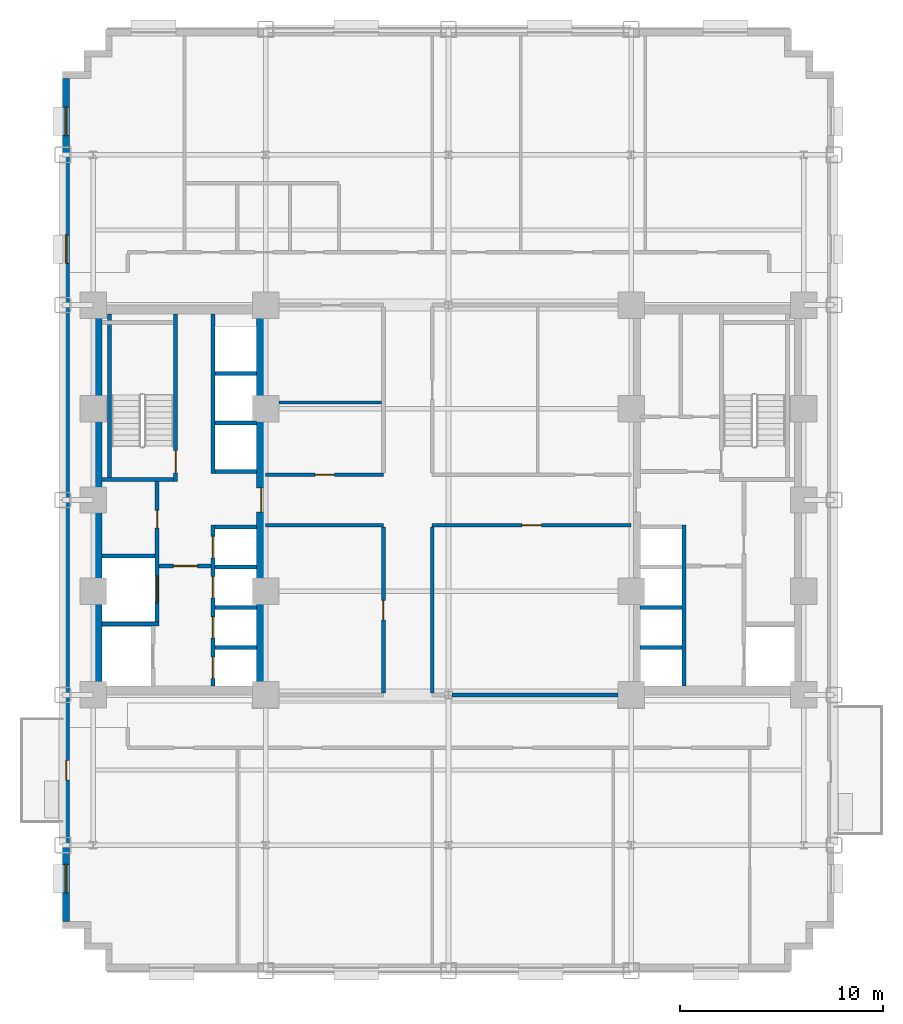
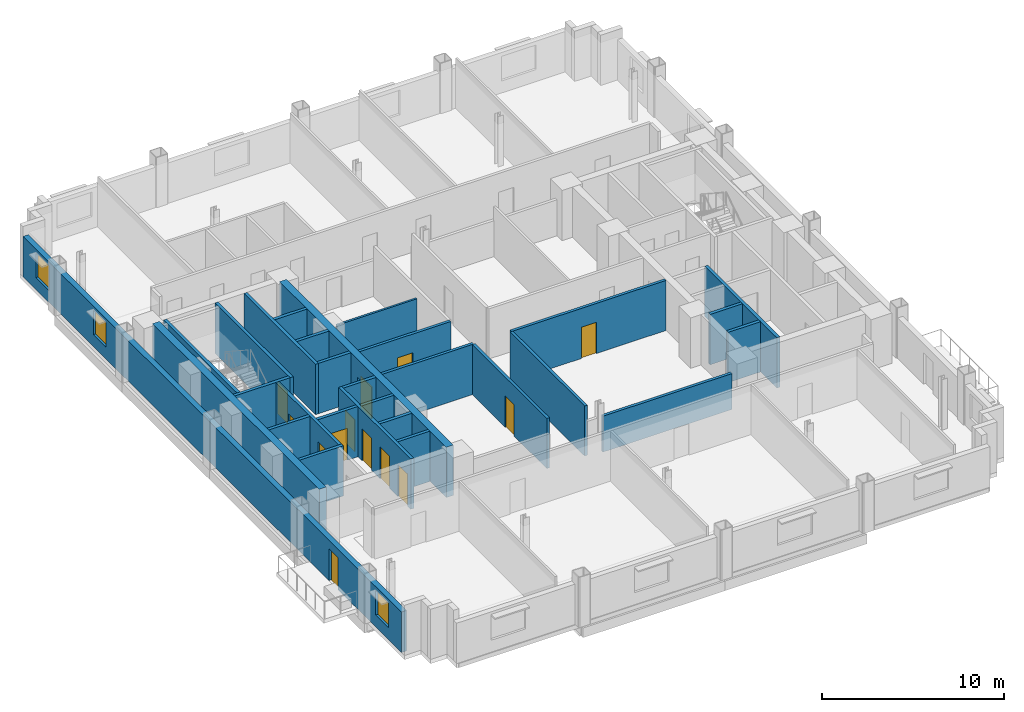
# One storey, part 5 of 12: 29 walls, 13 doors, 3 windows, 16 openings.
"""IFC4 building model written with IfcOpenShell, lengths in metres."""

from ifc_helpers import new_model, si_unit, direction, frame, frame_2d, origin, place, context, subcontext, project, spatial, rectangle, extrude, source, transform, mapped, material, layer, layer_set, type_object, type_shapes, element, fill, save


model = new_model("IFC4")

# Units and contexts
model_context = context("Model", 3, precision=1e-05, world=origin(), true_north=direction((0.0, 1.0)))
body_context = subcontext(model_context, "Body", "Model", "MODEL_VIEW")
ifc_project = project(units=[si_unit("LENGTHUNIT", "METRE"), si_unit("AREAUNIT", "SQUARE_METRE"), si_unit("VOLUMEUNIT", "CUBIC_METRE"), si_unit("PLANEANGLEUNIT", "RADIAN"), si_unit("MASSUNIT", "GRAM", prefix="KILO")], contexts=[model_context])

# Site, building, storey
site_placement = place(None, origin())
site = spatial("IfcSite", under=ifc_project, at=site_placement, CompositionType="ELEMENT")
building_placement = place(site_placement, origin())
building = spatial("IfcBuilding", under=site, at=building_placement, Name="Nuvemarco Arch Tower", CompositionType="ELEMENT")
storey_placement = place(building_placement, frame((0.0, 0.0, 45.85009765625)))
storey = spatial("IfcBuildingStorey", under=building, at=storey_placement, Name="L11", CompositionType="ELEMENT", Elevation=45.85009765625)

# Wall, openings, windows, door
ifc_material_1 = material(Name="Precast concrete C45/55", Category="concrete")
ifc_layer_1 = layer(ifc_material_1, 0.340087890625, Name="EW-LOW-340")
ifc_layer_set_1 = layer_set([ifc_layer_1], Name="Precast concrete C45/55")
wall_type_1 = type_object("IfcWallType", Name="EW-LOW-340", PredefinedType="STANDARD", material=ifc_layer_set_1)
wall_1_placement = place(storey_placement, frame((-18.830078125, -20.763916015625, 0.0), z_axis=(0.0, 0.0, 1.0), x_axis=(0.0, 1.0, 0.0)))
wall_1 = element("IfcWall", 1, at=wall_1_placement, inside=storey, type_object=wall_type_1, Name="L11 exterior precast facade wall 16", PredefinedType="STANDARD", context=body_context, shape_type="SweptSolid", body=[
    extrude(rectangle(XDim=41.52783203125, YDim=0.340087890625, at=frame_2d((20.763916015625, 0.0))), origin(), (0.0, 0.0, 1.0), 2.704833984375),
])
opening_1_placement = place(wall_1_placement, frame((6.964111328125, 0.0, 0.0)))
opening_1 = element("IfcOpeningElement", 2, at=opening_1_placement, cuts=wall_1, Name="Opening ED-6", PredefinedType="OPENING", context=body_context, shape_type="SweptSolid", body=[
    extrude(rectangle(XDim=0.97998046875, YDim=2.14990234375, at=frame_2d((0.489990234375, 1.074951171875))), frame((0.0, 0.179931640625, 0.0), z_axis=(0.0, -1.0, 0.0), x_axis=(1.0, 0.0, 0.0)), (0.0, 0.0, 1.0), 0.360107421875),
])
opening_2_placement = place(wall_1_placement, frame((1.42041015625, 0.0, 0.800048828125)))
opening_2 = element("IfcOpeningElement", 3, at=opening_2_placement, cuts=wall_1, Name="Opening WN-4", PredefinedType="OPENING", context=body_context, shape_type="SweptSolid", body=[
    extrude(rectangle(XDim=1.39990234375, YDim=1.64990234375, at=frame_2d((0.699951171875, 0.824951171875))), frame((0.0, 0.179931640625, 0.0), z_axis=(0.0, -1.0, 0.0), x_axis=(1.0, 0.0, 0.0)), (0.0, 0.0, 1.0), 0.360107421875),
])
opening_3_placement = place(wall_1_placement, frame((32.41650390625, 0.0, 0.800048828125)))
opening_3 = element("IfcOpeningElement", 4, at=opening_3_placement, cuts=wall_1, Name="Opening WN-4", PredefinedType="OPENING", context=body_context, shape_type="SweptSolid", body=[
    extrude(rectangle(XDim=1.39990234375, YDim=1.64990234375, at=frame_2d((0.699951171875, 0.824951171875))), frame((0.0, 0.179931640625, 0.0), z_axis=(0.0, -1.0, 0.0), x_axis=(1.0, 0.0, 0.0)), (0.0, 0.0, 1.0), 0.360107421875),
])
opening_4_placement = place(wall_1_placement, frame((38.70751953125, 0.0, 0.800048828125)))
opening_4 = element("IfcOpeningElement", 5, at=opening_4_placement, cuts=wall_1, Name="Opening WN-4", PredefinedType="OPENING", context=body_context, shape_type="SweptSolid", body=[
    extrude(rectangle(XDim=1.39990234375, YDim=1.64990234375, at=frame_2d((0.699951171875, 0.824951171875))), frame((0.0, 0.179931640625, 0.0), z_axis=(0.0, -1.0, 0.0), x_axis=(1.0, 0.0, 0.0)), (0.0, 0.0, 1.0), 0.360107421875),
])
ifc_material_2 = material(Name="Insulated solar-control glass", Category="glass")
window_type = type_object("IfcWindowType", Name="WN-LOW-1400x1650", PartitioningType="SINGLE_PANEL", PredefinedType="WINDOW", material=ifc_material_2)
shared_shape_1 = source(origin(), body_context, "Body", "SweptSolid", [
    extrude(rectangle(XDim=1.39990234375, YDim=1.64990234375, at=frame_2d((0.699951171875, 0.824951171875))), frame((0.0, 0.030029296875, 0.0), z_axis=(0.0, -1.0, 0.0), x_axis=(1.0, 0.0, 0.0)), (0.0, 0.0, 1.0), 0.06005859375),
])
type_shapes(window_type, [shared_shape_1])
window_1_placement = place(opening_2_placement, origin())
window_1 = element("IfcWindow", 6, at=window_1_placement, inside=storey, type_object=window_type, Name="L11 punched facade window 1", OverallHeight=1.64990234375, OverallWidth=1.39990234375, PartitioningType="SINGLE_PANEL", PredefinedType="WINDOW", context=body_context, shape_type="MappedRepresentation", body=[
    mapped(shared_shape_1, transform((0.0, 0.0, 0.0), scale=1.0)),
])
fill(opening_2, window_1)
window_2_placement = place(opening_3_placement, origin())
window_2 = element("IfcWindow", 7, at=window_2_placement, inside=storey, type_object=window_type, Name="L11 punched facade window 7", OverallHeight=1.64990234375, OverallWidth=1.39990234375, PartitioningType="SINGLE_PANEL", PredefinedType="WINDOW", context=body_context, shape_type="MappedRepresentation", body=[
    mapped(shared_shape_1, transform((0.0, 0.0, 0.0), scale=1.0)),
])
fill(opening_3, window_2)
window_3_placement = place(opening_4_placement, origin())
window_3 = element("IfcWindow", 8, at=window_3_placement, inside=storey, type_object=window_type, Name="L11 punched facade window 8", OverallHeight=1.64990234375, OverallWidth=1.39990234375, PartitioningType="SINGLE_PANEL", PredefinedType="WINDOW", context=body_context, shape_type="MappedRepresentation", body=[
    mapped(shared_shape_1, transform((0.0, 0.0, 0.0), scale=1.0)),
])
fill(opening_4, window_3)
ifc_material_3 = material(Name="Anodised bronze and laminated glass", Category="glass")
door_type_1 = type_object("IfcDoorType", Name="DR-EXT-BALC", OperationType="NOTDEFINED", PredefinedType="DOOR", material=ifc_material_3)
shared_shape_2 = source(origin(), body_context, "Body", "SweptSolid", [
    extrude(rectangle(XDim=0.97998046875, YDim=2.14990234375, at=frame_2d((0.489990234375, 1.074951171875))), frame((0.0, 0.02490234375, 0.0), z_axis=(0.0, -1.0, 0.0), x_axis=(1.0, 0.0, 0.0)), (0.0, 0.0, 1.0), 0.050048828125),
])
type_shapes(door_type_1, [shared_shape_2])
door_1_placement = place(opening_1_placement, origin())
door_1 = element("IfcDoor", 9, at=door_1_placement, inside=storey, type_object=door_type_1, Name="L11 tree balcony access door", OperationType="SINGLE_SWING_LEFT", OverallHeight=2.14990234375, OverallWidth=0.97998046875, PredefinedType="DOOR", context=body_context, shape_type="MappedRepresentation", body=[
    mapped(shared_shape_2, transform((0.0, 0.0, 0.0), scale=1.0)),
])
fill(opening_1, door_1)

# Wall
ifc_material_4 = material(Name="Concrete C60/75", Category="concrete")
ifc_layer_2 = layer(ifc_material_4, 0.449951171875, Name="WL-CORE-450")
ifc_layer_set_2 = layer_set([ifc_layer_2], Name="Concrete C60/75")
wall_type_2 = type_object("IfcWallType", Name="WL-CORE-450", PredefinedType="SHEAR", material=ifc_layer_set_2)
wall_2_placement = place(storey_placement, frame((-17.27490234375, -9.155029296875, 0.0), z_axis=(0.0, 0.0, 1.0), x_axis=(0.0, 1.0, 0.0)))
element("IfcWall", 10, at=wall_2_placement, inside=storey, type_object=wall_type_2, Name="L11 W-core shear wall W", PredefinedType="SHEAR", context=body_context, shape_type="SweptSolid", body=[
    extrude(rectangle(XDim=18.31005859375, YDim=0.449951171875, at=frame_2d((9.155029296875, 0.0))), origin(), (0.0, 0.0, 1.0), 3.369873046875),
])

# Wall, opening, door
wall_3_placement = place(storey_placement, frame((-9.22509765625, -9.155029296875, 0.0), z_axis=(0.0, 0.0, 1.0), x_axis=(0.0, 1.0, 0.0)))
wall_3 = element("IfcWall", 11, at=wall_3_placement, inside=storey, type_object=wall_type_2, Name="L11 W-core shear wall E", PredefinedType="SHEAR", context=body_context, shape_type="SweptSolid", body=[
    extrude(rectangle(XDim=18.31005859375, YDim=0.449951171875, at=frame_2d((9.155029296875, 0.0))), origin(), (0.0, 0.0, 1.0), 3.369873046875),
])
opening_5_placement = place(wall_3_placement, frame((8.554931640625, 0.0, 0.0)))
opening_5 = element("IfcOpeningElement", 12, at=opening_5_placement, cuts=wall_3, Name="Opening FD-2", PredefinedType="OPENING", context=body_context, shape_type="SweptSolid", body=[
    extrude(rectangle(XDim=1.199951171875, YDim=2.14990234375, at=frame_2d((0.60009765625, 1.074951171875))), frame((0.0, 0.23486328125, 0.0), z_axis=(0.0, -1.0, 0.0), x_axis=(1.0, 0.0, 0.0)), (0.0, 0.0, 1.0), 0.469970703125),
])
ifc_material_5 = material(Name="Anodised steel fire door", Category="steel")
door_type_2 = type_object("IfcDoorType", Name="DR-FFLOB-FD", OperationType="NOTDEFINED", PredefinedType="DOOR", material=ifc_material_5)
shared_shape_3 = source(origin(), body_context, "Body", "SweptSolid", [
    extrude(rectangle(XDim=1.199951171875, YDim=2.14990234375, at=frame_2d((0.60009765625, 1.074951171875))), frame((0.0, 0.02490234375, 0.0), z_axis=(0.0, -1.0, 0.0), x_axis=(1.0, 0.0, 0.0)), (0.0, 0.0, 1.0), 0.050048828125),
])
type_shapes(door_type_2, [shared_shape_3])
door_2_placement = place(opening_5_placement, origin())
door_2 = element("IfcDoor", 13, at=door_2_placement, inside=storey, type_object=door_type_2, Name="L11 door FD-L11-WCORE-E", OperationType="SINGLE_SWING_RIGHT", OverallHeight=2.14990234375, OverallWidth=1.199951171875, PredefinedType="DOOR", context=body_context, shape_type="MappedRepresentation", body=[
    mapped(shared_shape_3, transform((0.0, 0.0, 0.0), scale=1.0)),
])
fill(opening_5, door_2)

# Walls
ifc_material_6 = material(Name="Fire-rated gypsum drywall partition")
ifc_layer_3 = layer(ifc_material_6, 0.179931640625, Name="WL-CORR-180")
ifc_layer_set_3 = layer_set([ifc_layer_3], Name="Fire-rated gypsum drywall partition")
wall_type_3 = type_object("IfcWallType", Name="WL-CORR-180", PredefinedType="PARTITIONING", material=ifc_layer_set_3)
wall_4_placement = place(storey_placement, frame((0.176025390625, -9.60009765625, 0.0), z_axis=(0.0, 0.0, 1.0), x_axis=(1.0, 0.0, 0.0)))
element("IfcWall", 14, at=wall_4_placement, inside=storey, type_object=wall_type_3, Name="L11 interior wall IW-L11-004", PredefinedType="PARTITIONING", context=body_context, shape_type="SweptSolid", body=[
    extrude(rectangle(XDim=8.177978515625, YDim=0.179931640625, at=frame_2d((4.0888671875, 0.0))), origin(), (0.0, 0.0, 1.0), 2.40478515625),
])
wall_5_placement = place(storey_placement, frame((-9.0, -1.25, 0.0), z_axis=(0.0, 0.0, 1.0), x_axis=(1.0, 0.0, 0.0)))
element("IfcWall", 15, at=wall_5_placement, inside=storey, type_object=wall_type_3, Name="L11 interior wall IW-L11-005", PredefinedType="PARTITIONING", context=body_context, shape_type="SweptSolid", body=[
    extrude(rectangle(XDim=5.800048828125, YDim=0.179931640625, at=frame_2d((2.89990234375, 0.0))), origin(), (0.0, 0.0, 1.0), 3.35986328125),
])

# Wall, opening, door
wall_6_placement = place(storey_placement, frame((-0.800048828125, -1.25, 0.0), z_axis=(0.0, 0.0, 1.0), x_axis=(1.0, 0.0, 0.0)))
wall_6 = element("IfcWall", 16, at=wall_6_placement, inside=storey, type_object=wall_type_3, Name="L11 interior wall IW-L11-006", PredefinedType="PARTITIONING", context=body_context, shape_type="SweptSolid", body=[
    extrude(rectangle(XDim=9.800048828125, YDim=0.179931640625, at=frame_2d((4.89990234375, 0.0))), origin(), (0.0, 0.0, 1.0), 3.35986328125),
])
opening_6_placement = place(wall_6_placement, frame((4.419921875, 0.0, 0.0)))
opening_6 = element("IfcOpeningElement", 17, at=opening_6_placement, cuts=wall_6, Name="Opening FD-5", PredefinedType="OPENING", context=body_context, shape_type="SweptSolid", body=[
    extrude(rectangle(XDim=0.9599609375, YDim=2.10009765625, at=frame_2d((0.47998046875, 1.050048828125))), frame((0.0, 0.099853515625, 0.0), z_axis=(0.0, -1.0, 0.0), x_axis=(1.0, 0.0, 0.0)), (0.0, 0.0, 1.0), 0.199951171875),
])
ifc_material_7 = material(Name="Timber fire door", Category="wood")
door_type_3 = type_object("IfcDoorType", Name="DR-CORR-FD", OperationType="NOTDEFINED", PredefinedType="DOOR", material=ifc_material_7)
shared_shape_4 = source(origin(), body_context, "Body", "SweptSolid", [
    extrude(rectangle(XDim=0.9599609375, YDim=2.10009765625, at=frame_2d((0.47998046875, 1.050048828125))), frame((0.0, 0.02490234375, 0.0), z_axis=(0.0, -1.0, 0.0), x_axis=(1.0, 0.0, 0.0)), (0.0, 0.0, 1.0), 0.050048828125),
])
type_shapes(door_type_3, [shared_shape_4])
door_3_placement = place(opening_6_placement, origin())
door_3 = element("IfcDoor", 18, at=door_3_placement, inside=storey, type_object=door_type_3, Name="L11 door DR-L11-C_SE", OperationType="SINGLE_SWING_LEFT", OverallHeight=2.10009765625, OverallWidth=0.9599609375, PredefinedType="DOOR", context=body_context, shape_type="MappedRepresentation", body=[
    mapped(shared_shape_4, transform((0.0, 0.0, 0.0), scale=1.0)),
])
fill(opening_6, door_3)

wall_7_placement = place(storey_placement, frame((-9.0, 1.25, 0.0), z_axis=(0.0, 0.0, 1.0), x_axis=(1.0, 0.0, 0.0)))
wall_7 = element("IfcWall", 19, at=wall_7_placement, inside=storey, type_object=wall_type_3, Name="L11 interior wall IW-L11-007", PredefinedType="PARTITIONING", context=body_context, shape_type="SweptSolid", body=[
    extrude(rectangle(XDim=5.800048828125, YDim=0.179931640625, at=frame_2d((2.89990234375, 0.0))), origin(), (0.0, 0.0, 1.0), 3.35986328125),
])
opening_7_placement = place(wall_7_placement, frame((2.419921875, 0.0, 0.0)))
opening_7 = element("IfcOpeningElement", 20, at=opening_7_placement, cuts=wall_7, Name="Opening FD-5", PredefinedType="OPENING", context=body_context, shape_type="SweptSolid", body=[
    extrude(rectangle(XDim=0.9599609375, YDim=2.10009765625, at=frame_2d((0.47998046875, 1.050048828125))), frame((0.0, 0.099853515625, 0.0), z_axis=(0.0, -1.0, 0.0), x_axis=(1.0, 0.0, 0.0)), (0.0, 0.0, 1.0), 0.199951171875),
])
door_4_placement = place(opening_7_placement, origin())
door_4 = element("IfcDoor", 21, at=door_4_placement, inside=storey, type_object=door_type_3, Name="L11 door DR-L11-C_NW1", OperationType="SINGLE_SWING_LEFT", OverallHeight=2.10009765625, OverallWidth=0.9599609375, PredefinedType="DOOR", context=body_context, shape_type="MappedRepresentation", body=[
    mapped(shared_shape_4, transform((0.0, 0.0, 0.0), scale=1.0)),
])
fill(opening_7, door_4)

wall_8_placement = place(storey_placement, frame((-3.199951171875, -9.513916015625, 0.0), z_axis=(0.0, 0.0, 1.0), x_axis=(0.0, 1.0, 0.0)))
wall_8 = element("IfcWall", 22, at=wall_8_placement, inside=storey, type_object=wall_type_3, Name="L11 interior wall IW-L11-022", PredefinedType="PARTITIONING", context=body_context, shape_type="SweptSolid", body=[
    extrude(rectangle(XDim=8.177978515625, YDim=0.179931640625, at=frame_2d((4.0888671875, 0.0))), origin(), (0.0, 0.0, 1.0), 3.35986328125),
])
opening_8_placement = place(wall_8_placement, frame((3.60888671875, 0.0, 0.0)))
opening_8 = element("IfcOpeningElement", 23, at=opening_8_placement, cuts=wall_8, Name="Opening FD-5", PredefinedType="OPENING", context=body_context, shape_type="SweptSolid", body=[
    extrude(rectangle(XDim=0.9599609375, YDim=2.10009765625, at=frame_2d((0.47998046875, 1.050048828125))), frame((0.0, 0.099853515625, 0.0), z_axis=(0.0, -1.0, 0.0), x_axis=(1.0, 0.0, 0.0)), (0.0, 0.0, 1.0), 0.199951171875),
])
door_5_placement = place(opening_8_placement, origin())
door_5 = element("IfcDoor", 24, at=door_5_placement, inside=storey, type_object=door_type_3, Name="L11 door DR-L11-C_SW", OperationType="SINGLE_SWING_LEFT", OverallHeight=2.10009765625, OverallWidth=0.9599609375, PredefinedType="DOOR", context=body_context, shape_type="MappedRepresentation", body=[
    mapped(shared_shape_4, transform((0.0, 0.0, 0.0), scale=1.0)),
])
fill(opening_8, door_5)

# Walls
wall_9_placement = place(storey_placement, frame((-0.800048828125, -9.513916015625, 0.0), z_axis=(0.0, 0.0, 1.0), x_axis=(0.0, 1.0, 0.0)))
element("IfcWall", 25, at=wall_9_placement, inside=storey, type_object=wall_type_3, Name="L11 interior wall IW-L11-025", PredefinedType="PARTITIONING", context=body_context, shape_type="SweptSolid", body=[
    extrude(rectangle(XDim=8.177978515625, YDim=0.179931640625, at=frame_2d((4.0888671875, 0.0))), origin(), (0.0, 0.0, 1.0), 3.35986328125),
])
ifc_material_8 = material(Name="Glazed acoustic office partition")
ifc_layer_4 = layer(ifc_material_8, 0.1298828125, Name="WL-EXEC-130")
ifc_layer_set_4 = layer_set([ifc_layer_4], Name="Glazed acoustic office partition")
wall_type_4 = type_object("IfcWallType", Name="WL-EXEC-130", PredefinedType="PARTITIONING", material=ifc_layer_set_4)
wall_10_placement = place(storey_placement, frame((-8.35400390625, 4.800048828125, 0.0), z_axis=(0.0, 0.0, 1.0), x_axis=(1.0, 0.0, 0.0)))
element("IfcWall", 26, at=wall_10_placement, inside=storey, type_object=wall_type_4, Name="L11 interior wall IW-L11-009", PredefinedType="PARTITIONING", context=body_context, shape_type="SweptSolid", body=[
    extrude(rectangle(XDim=5.068115234375, YDim=0.1298828125, at=frame_2d((2.5341796875, 0.0))), origin(), (0.0, 0.0, 1.0), 2.73779296875),
])

# Wall, opening, door
ifc_material_9 = material(Name="Concrete C50/60", Category="concrete")
ifc_layer_5 = layer(ifc_material_9, 0.199951171875, Name="WL-SHAFT-220")
ifc_layer_set_5 = layer_set([ifc_layer_5], Name="Concrete C50/60")
wall_type_5 = type_object("IfcWallType", Name="WL-SHAFT-220", PredefinedType="SHEAR", material=ifc_layer_set_5)
wall_11_placement = place(storey_placement, frame((-13.43994140625, 0.89990234375, 0.0), z_axis=(0.0, 0.0, 1.0), x_axis=(0.0, 1.0, 0.0)))
wall_11 = element("IfcWall", 27, at=wall_11_placement, inside=storey, type_object=wall_type_5, Name="L11 structural shaft wall SW-L11-W-ST1E", PredefinedType="SHEAR", context=body_context, shape_type="SweptSolid", body=[
    extrude(rectangle(XDim=8.255126953125, YDim=0.199951171875, at=frame_2d((4.12744140625, 0.0))), origin(), (0.0, 0.0, 1.0), 3.369873046875),
])
opening_9_placement = place(wall_11_placement, frame((1.530029296875, 0.0, 0.0), z_axis=(0.0, 0.0, 1.0), x_axis=(-1.0, 0.0, 0.0)))
opening_9 = element("IfcOpeningElement", 28, at=opening_9_placement, cuts=wall_11, Name="Opening FD-1", PredefinedType="OPENING", context=body_context, shape_type="SweptSolid", body=[
    extrude(rectangle(XDim=1.10009765625, YDim=2.14990234375, at=frame_2d((0.550048828125, 1.074951171875))), frame((0.0, 0.10986328125, 0.0), z_axis=(0.0, -1.0, 0.0), x_axis=(1.0, 0.0, 0.0)), (0.0, 0.0, 1.0), 0.219970703125),
])
door_type_4 = type_object("IfcDoorType", Name="DR-STAIR-FD", OperationType="NOTDEFINED", PredefinedType="DOOR", material=ifc_material_5)
shared_shape_5 = source(origin(), body_context, "Body", "SweptSolid", [
    extrude(rectangle(XDim=1.10009765625, YDim=2.14990234375, at=frame_2d((0.550048828125, 1.074951171875))), frame((0.0, 0.02490234375, 0.0), z_axis=(0.0, -1.0, 0.0), x_axis=(1.0, 0.0, 0.0)), (0.0, 0.0, 1.0), 0.050048828125),
])
type_shapes(door_type_4, [shared_shape_5])
door_6_placement = place(opening_9_placement, origin())
door_6 = element("IfcDoor", 29, at=door_6_placement, inside=storey, type_object=door_type_4, Name="L11 door FD-L11-ST1", OperationType="SINGLE_SWING_RIGHT", OverallHeight=2.14990234375, OverallWidth=1.10009765625, PredefinedType="DOOR", context=body_context, shape_type="MappedRepresentation", body=[
    mapped(shared_shape_5, transform((0.0, 0.0, 0.0), scale=1.0)),
])
fill(opening_9, door_6)

# Walls
wall_12_placement = place(storey_placement, frame((-17.054931640625, 1.0, 0.0), z_axis=(0.0, 0.0, 1.0), x_axis=(1.0, 0.0, 0.0)))
element("IfcWall", 30, at=wall_12_placement, inside=storey, type_object=wall_type_5, Name="L11 structural shaft wall SW-L11-W-ST1S", PredefinedType="SHEAR", context=body_context, shape_type="SweptSolid", body=[
    extrude(rectangle(XDim=3.52001953125, YDim=0.199951171875, at=frame_2d((1.760009765625, 0.0))), origin(), (0.0, 0.0, 1.0), 3.369873046875),
])
wall_13_placement = place(storey_placement, frame((-16.699951171875, 1.094970703125, 0.0), z_axis=(0.0, 0.0, 1.0), x_axis=(0.0, 1.0, 0.0)))
element("IfcWall", 31, at=wall_13_placement, inside=storey, type_object=wall_type_5, Name="L11 structural shaft wall SW-L11-W-ST1W", PredefinedType="SHEAR", context=body_context, shape_type="SweptSolid", body=[
    extrude(rectangle(XDim=8.06005859375, YDim=0.199951171875, at=frame_2d((4.030029296875, 0.0))), origin(), (0.0, 0.0, 1.0), 3.369873046875),
])

# Wall, openings, doors
wall_14_placement = place(storey_placement, frame((-14.35009765625, -6.199951171875, 0.0), z_axis=(0.0, 0.0, 1.0), x_axis=(0.0, 1.0, 0.0)))
wall_14 = element("IfcWall", 32, at=wall_14_placement, inside=storey, type_object=wall_type_5, Name="L11 structural shaft wall SW-L11-W-SVE", PredefinedType="SHEAR", context=body_context, shape_type="SweptSolid", body=[
    extrude(rectangle(XDim=7.10498046875, YDim=0.199951171875, at=frame_2d((3.552490234375, 0.0))), origin(), (0.0, 0.0, 1.0), 3.369873046875),
])
opening_10_placement = place(wall_14_placement, frame((5.68994140625, 0.0, 0.0), z_axis=(0.0, 0.0, 1.0), x_axis=(-1.0, 0.0, 0.0)))
opening_10 = element("IfcOpeningElement", 33, at=opening_10_placement, cuts=wall_14, Name="Opening FD-4", PredefinedType="OPENING", context=body_context, shape_type="SweptSolid", body=[
    extrude(rectangle(XDim=0.8798828125, YDim=2.10009765625, at=frame_2d((0.43994140625, 1.050048828125))), frame((0.0, 0.10986328125, 0.0), z_axis=(0.0, -1.0, 0.0), x_axis=(1.0, 0.0, 0.0)), (0.0, 0.0, 1.0), 0.219970703125),
])
opening_11_placement = place(wall_14_placement, frame((1.14990234375, 0.0, 0.0)))
opening_11 = element("IfcOpeningElement", 34, at=opening_11_placement, cuts=wall_14, Name="Opening LD-3", PredefinedType="OPENING", context=body_context, shape_type="SweptSolid", body=[
    extrude(rectangle(XDim=1.300048828125, YDim=2.199951171875, at=frame_2d((0.64990234375, 1.10009765625))), frame((0.0, 0.10986328125, 0.0), z_axis=(0.0, -1.0, 0.0), x_axis=(1.0, 0.0, 0.0)), (0.0, 0.0, 1.0), 0.219970703125),
])
door_type_5 = type_object("IfcDoorType", Name="DR-RISER-FD", OperationType="NOTDEFINED", PredefinedType="DOOR", material=ifc_material_5)
shared_shape_6 = source(origin(), body_context, "Body", "SweptSolid", [
    extrude(rectangle(XDim=0.8798828125, YDim=2.10009765625, at=frame_2d((0.43994140625, 1.050048828125))), frame((0.0, 0.02490234375, 0.0), z_axis=(0.0, -1.0, 0.0), x_axis=(1.0, 0.0, 0.0)), (0.0, 0.0, 1.0), 0.050048828125),
])
type_shapes(door_type_5, [shared_shape_6])
door_7_placement = place(opening_10_placement, origin())
door_7 = element("IfcDoor", 35, at=door_7_placement, inside=storey, type_object=door_type_5, Name="L11 door FD-L11-WRIS", OperationType="SINGLE_SWING_RIGHT", OverallHeight=2.10009765625, OverallWidth=0.8798828125, PredefinedType="DOOR", context=body_context, shape_type="MappedRepresentation", body=[
    mapped(shared_shape_6, transform((0.0, 0.0, 0.0), scale=1.0)),
])
fill(opening_10, door_7)
ifc_material_10 = material(Name="Stainless steel lift door", Category="steel")
door_type_6 = type_object("IfcDoorType", Name="DR-LIFT-SERV", OperationType="DOUBLE_DOOR_SLIDING", PredefinedType="DOOR", material=ifc_material_10)
shared_shape_7 = source(origin(), body_context, "Body", "SweptSolid", [
    extrude(rectangle(XDim=1.300048828125, YDim=2.199951171875, at=frame_2d((0.64990234375, 1.10009765625))), frame((0.0, 0.02490234375, 0.0), z_axis=(0.0, -1.0, 0.0), x_axis=(1.0, 0.0, 0.0)), (0.0, 0.0, 1.0), 0.050048828125),
])
type_shapes(door_type_6, [shared_shape_7])
door_8_placement = place(opening_11_placement, origin())
door_8 = element("IfcDoor", 36, at=door_8_placement, inside=storey, type_object=door_type_6, Name="L11 Lift landing sliding door SVL-1", OperationType="DOUBLE_DOOR_SLIDING", OverallHeight=2.199951171875, OverallWidth=1.300048828125, PredefinedType="DOOR", context=body_context, shape_type="MappedRepresentation", body=[
    mapped(shared_shape_7, transform((0.0, 0.0, 0.0), scale=1.0)),
])
fill(opening_11, door_8)

# Walls
wall_15_placement = place(storey_placement, frame((-17.054931640625, -6.10009765625, 0.0), z_axis=(0.0, 0.0, 1.0), x_axis=(1.0, 0.0, 0.0)))
element("IfcWall", 37, at=wall_15_placement, inside=storey, type_object=wall_type_5, Name="L11 structural shaft wall SW-L11-W-SH1", PredefinedType="SHEAR", context=body_context, shape_type="SweptSolid", body=[
    extrude(rectangle(XDim=2.804931640625, YDim=0.199951171875, at=frame_2d((1.40234375, 0.0))), origin(), (0.0, 0.0, 1.0), 3.369873046875),
])
wall_16_placement = place(storey_placement, frame((-17.054931640625, -2.75, 0.0), z_axis=(0.0, 0.0, 1.0), x_axis=(1.0, 0.0, 0.0)))
element("IfcWall", 38, at=wall_16_placement, inside=storey, type_object=wall_type_5, Name="L11 structural shaft wall SW-L11-W-SH2", PredefinedType="SHEAR", context=body_context, shape_type="SweptSolid", body=[
    extrude(rectangle(XDim=2.60986328125, YDim=0.199951171875, at=frame_2d((1.304931640625, 0.0))), origin(), (0.0, 0.0, 1.0), 3.369873046875),
])

# Wall, openings, doors
wall_17_placement = place(storey_placement, frame((-11.60009765625, -9.155029296875, 0.0), z_axis=(0.0, 0.0, 1.0), x_axis=(0.0, 1.0, 0.0)))
wall_17 = element("IfcWall", 39, at=wall_17_placement, inside=storey, type_object=wall_type_5, Name="L11 structural shaft wall SW-L11-W-PLW", PredefinedType="SHEAR", context=body_context, shape_type="SweptSolid", body=[
    extrude(rectangle(XDim=7.925048828125, YDim=0.199951171875, at=frame_2d((3.96240234375, 0.0))), origin(), (0.0, 0.0, 1.0), 3.369873046875),
])
opening_12_placement = place(wall_17_placement, frame((0.3701171875, 0.0, 0.0)))
opening_12 = element("IfcOpeningElement", 40, at=opening_12_placement, cuts=wall_17, Name="Opening LD-1", PredefinedType="OPENING", context=body_context, shape_type="SweptSolid", body=[
    extrude(rectangle(XDim=1.050048828125, YDim=2.14990234375, at=frame_2d((0.52490234375, 1.074951171875))), frame((0.0, 0.10986328125, 0.0), z_axis=(0.0, -1.0, 0.0), x_axis=(1.0, 0.0, 0.0)), (0.0, 0.0, 1.0), 0.219970703125),
])
opening_13_placement = place(wall_17_placement, frame((2.35009765625, 0.0, 0.0)))
opening_13 = element("IfcOpeningElement", 41, at=opening_13_placement, cuts=wall_17, Name="Opening LD-1", PredefinedType="OPENING", context=body_context, shape_type="SweptSolid", body=[
    extrude(rectangle(XDim=1.050048828125, YDim=2.14990234375, at=frame_2d((0.52490234375, 1.074951171875))), frame((0.0, 0.10986328125, 0.0), z_axis=(0.0, -1.0, 0.0), x_axis=(1.0, 0.0, 0.0)), (0.0, 0.0, 1.0), 0.219970703125),
])
opening_14_placement = place(wall_17_placement, frame((4.330078125, 0.0, 0.0)))
opening_14 = element("IfcOpeningElement", 42, at=opening_14_placement, cuts=wall_17, Name="Opening LD-1", PredefinedType="OPENING", context=body_context, shape_type="SweptSolid", body=[
    extrude(rectangle(XDim=1.050048828125, YDim=2.14990234375, at=frame_2d((0.52490234375, 1.074951171875))), frame((0.0, 0.10986328125, 0.0), z_axis=(0.0, -1.0, 0.0), x_axis=(1.0, 0.0, 0.0)), (0.0, 0.0, 1.0), 0.219970703125),
])
opening_15_placement = place(wall_17_placement, frame((6.31005859375, 0.0, 0.0)))
opening_15 = element("IfcOpeningElement", 43, at=opening_15_placement, cuts=wall_17, Name="Opening LD-1", PredefinedType="OPENING", context=body_context, shape_type="SweptSolid", body=[
    extrude(rectangle(XDim=1.050048828125, YDim=2.14990234375, at=frame_2d((0.52490234375, 1.074951171875))), frame((0.0, 0.10986328125, 0.0), z_axis=(0.0, -1.0, 0.0), x_axis=(1.0, 0.0, 0.0)), (0.0, 0.0, 1.0), 0.219970703125),
])
door_type_7 = type_object("IfcDoorType", Name="DR-LIFT-PASS", OperationType="DOUBLE_DOOR_SLIDING", PredefinedType="DOOR", material=ifc_material_10)
shared_shape_8 = source(origin(), body_context, "Body", "SweptSolid", [
    extrude(rectangle(XDim=1.050048828125, YDim=2.14990234375, at=frame_2d((0.52490234375, 1.074951171875))), frame((0.0, 0.02490234375, 0.0), z_axis=(0.0, -1.0, 0.0), x_axis=(1.0, 0.0, 0.0)), (0.0, 0.0, 1.0), 0.050048828125),
])
type_shapes(door_type_7, [shared_shape_8])
door_9_placement = place(opening_12_placement, origin())
door_9 = element("IfcDoor", 44, at=door_9_placement, inside=storey, type_object=door_type_7, Name="L11 Lift landing sliding door PL-1", OperationType="DOUBLE_DOOR_SLIDING", OverallHeight=2.14990234375, OverallWidth=1.050048828125, PredefinedType="DOOR", context=body_context, shape_type="MappedRepresentation", body=[
    mapped(shared_shape_8, transform((0.0, 0.0, 0.0), scale=1.0)),
])
fill(opening_12, door_9)
door_10_placement = place(opening_13_placement, origin())
door_10 = element("IfcDoor", 45, at=door_10_placement, inside=storey, type_object=door_type_7, Name="L11 Lift landing sliding door PL-2", OperationType="DOUBLE_DOOR_SLIDING", OverallHeight=2.14990234375, OverallWidth=1.050048828125, PredefinedType="DOOR", context=body_context, shape_type="MappedRepresentation", body=[
    mapped(shared_shape_8, transform((0.0, 0.0, 0.0), scale=1.0)),
])
fill(opening_13, door_10)
door_11_placement = place(opening_14_placement, origin())
door_11 = element("IfcDoor", 46, at=door_11_placement, inside=storey, type_object=door_type_7, Name="L11 Lift landing sliding door PL-3", OperationType="DOUBLE_DOOR_SLIDING", OverallHeight=2.14990234375, OverallWidth=1.050048828125, PredefinedType="DOOR", context=body_context, shape_type="MappedRepresentation", body=[
    mapped(shared_shape_8, transform((0.0, 0.0, 0.0), scale=1.0)),
])
fill(opening_14, door_11)
door_12_placement = place(opening_15_placement, origin())
door_12 = element("IfcDoor", 47, at=door_12_placement, inside=storey, type_object=door_type_7, Name="L11 Lift landing sliding door PL-4", OperationType="DOUBLE_DOOR_SLIDING", OverallHeight=2.14990234375, OverallWidth=1.050048828125, PredefinedType="DOOR", context=body_context, shape_type="MappedRepresentation", body=[
    mapped(shared_shape_8, transform((0.0, 0.0, 0.0), scale=1.0)),
])
fill(opening_15, door_12)

# Wall, opening, door
wall_18_placement = place(storey_placement, frame((-14.2548828125, -3.25, 0.0), z_axis=(0.0, 0.0, 1.0), x_axis=(1.0, 0.0, 0.0)))
wall_18 = element("IfcWall", 48, at=wall_18_placement, inside=storey, type_object=wall_type_5, Name="L11 structural shaft wall SW-L11-W-FFN", PredefinedType="SHEAR", context=body_context, shape_type="SweptSolid", body=[
    extrude(rectangle(XDim=2.559814453125, YDim=0.199951171875, at=frame_2d((1.27978515625, 0.0))), origin(), (0.0, 0.0, 1.0), 3.369873046875),
])
opening_16_placement = place(wall_18_placement, frame((0.705078125, 0.0, 0.0)))
opening_16 = element("IfcOpeningElement", 49, at=opening_16_placement, cuts=wall_18, Name="Opening FD-2", PredefinedType="OPENING", context=body_context, shape_type="SweptSolid", body=[
    extrude(rectangle(XDim=1.199951171875, YDim=2.14990234375, at=frame_2d((0.60009765625, 1.074951171875))), frame((0.0, 0.10986328125, 0.0), z_axis=(0.0, -1.0, 0.0), x_axis=(1.0, 0.0, 0.0)), (0.0, 0.0, 1.0), 0.219970703125),
])
door_13_placement = place(opening_16_placement, origin())
door_13 = element("IfcDoor", 50, at=door_13_placement, inside=storey, type_object=door_type_2, Name="L11 door FD-L11-WFF1", OperationType="SINGLE_SWING_RIGHT", OverallHeight=2.14990234375, OverallWidth=1.199951171875, PredefinedType="DOOR", context=body_context, shape_type="MappedRepresentation", body=[
    mapped(shared_shape_3, transform((0.0, 0.0, 0.0), scale=1.0)),
])
fill(opening_16, door_13)

# Walls
for number, where, z_axis, x_axis, name in (
    (51, (-11.5048828125, -7.27001953125, 0.0), (0.0, 0.0, 1.0), (1.0, 0.0, 0.0), "L11 structural shaft wall SW-L11-W-PLD1"),
    (52, (-11.5048828125, -5.2900390625, 0.0), (0.0, 0.0, 1.0), (1.0, 0.0, 0.0), "L11 structural shaft wall SW-L11-W-PLD2"),
    (53, (-11.5048828125, -3.31005859375, 0.0), (0.0, 0.0, 1.0), (1.0, 0.0, 0.0), "L11 structural shaft wall SW-L11-W-PLD3"),
    (54, (-11.5048828125, -1.330078125, 0.0), (0.0, 0.0, 1.0), (1.0, 0.0, 0.0), "L11 structural shaft wall SW-L11-W-PLD4"),
):
    element("IfcWall", number, at=place(storey_placement, frame(where, z_axis=z_axis, x_axis=x_axis)), inside=storey, type_object=wall_type_5, Name=name, PredefinedType="SHEAR", context=body_context, shape_type="SweptSolid", body=[
        extrude(rectangle(XDim=2.059814453125, YDim=0.199951171875, at=frame_2d((1.02978515625, 0.0))), origin(), (0.0, 0.0, 1.0), 3.369873046875),
    ])
wall_19_placement = place(storey_placement, frame((-11.60009765625, 1.300048828125, 0.0), z_axis=(0.0, 0.0, 1.0), x_axis=(0.0, 1.0, 0.0)))
element("IfcWall", 55, at=wall_19_placement, inside=storey, type_object=wall_type_5, Name="L11 structural shaft wall SW-L11-W-PHW", PredefinedType="SHEAR", context=body_context, shape_type="SweptSolid", body=[
    extrude(rectangle(XDim=7.85498046875, YDim=0.199951171875, at=frame_2d((3.927490234375, 0.0))), origin(), (0.0, 0.0, 1.0), 3.369873046875),
])
for number, where, z_axis, x_axis, name in (
    (56, (-11.5048828125, 1.39990234375, 0.0), (0.0, 0.0, 1.0), (1.0, 0.0, 0.0), "L11 structural shaft wall SW-L11-W-PHD1"),
    (57, (-11.5048828125, 3.800048828125, 0.0), (0.0, 0.0, 1.0), (1.0, 0.0, 0.0), "L11 structural shaft wall SW-L11-W-PHD2"),
    (58, (-11.5048828125, 6.219970703125, 0.0), (0.0, 0.0, 1.0), (1.0, 0.0, 0.0), "L11 structural shaft wall SW-L11-W-PHD3"),
):
    element("IfcWall", number, at=place(storey_placement, frame(where, z_axis=z_axis, x_axis=x_axis)), inside=storey, type_object=wall_type_5, Name=name, PredefinedType="SHEAR", context=body_context, shape_type="SweptSolid", body=[
        extrude(rectangle(XDim=2.059814453125, YDim=0.199951171875, at=frame_2d((1.02978515625, 0.0))), origin(), (0.0, 0.0, 1.0), 3.369873046875),
    ])
wall_20_placement = place(storey_placement, frame((11.60009765625, -9.155029296875, 0.0), z_axis=(0.0, 0.0, 1.0), x_axis=(0.0, 1.0, 0.0)))
element("IfcWall", 59, at=wall_20_placement, inside=storey, type_object=wall_type_5, Name="L11 structural shaft wall SW-L11-E-PME", PredefinedType="SHEAR", context=body_context, shape_type="SweptSolid", body=[
    extrude(rectangle(XDim=7.925048828125, YDim=0.199951171875, at=frame_2d((3.96240234375, 0.0))), origin(), (0.0, 0.0, 1.0), 3.369873046875),
])
for number, where, z_axis, x_axis, name in (
    (60, (9.445068359375, -7.27001953125, 0.0), (0.0, 0.0, 1.0), (1.0, 0.0, 0.0), "L11 structural shaft wall SW-L11-E-PMD1"),
    (61, (9.445068359375, -5.2900390625, 0.0), (0.0, 0.0, 1.0), (1.0, 0.0, 0.0), "L11 structural shaft wall SW-L11-E-PMD2"),
):
    element("IfcWall", number, at=place(storey_placement, frame(where, z_axis=z_axis, x_axis=x_axis)), inside=storey, type_object=wall_type_5, Name=name, PredefinedType="SHEAR", context=body_context, shape_type="SweptSolid", body=[
        extrude(rectangle(XDim=2.059814453125, YDim=0.199951171875, at=frame_2d((1.02978515625, 0.0))), origin(), (0.0, 0.0, 1.0), 3.369873046875),
    ])

save(model, "model.ifc")
